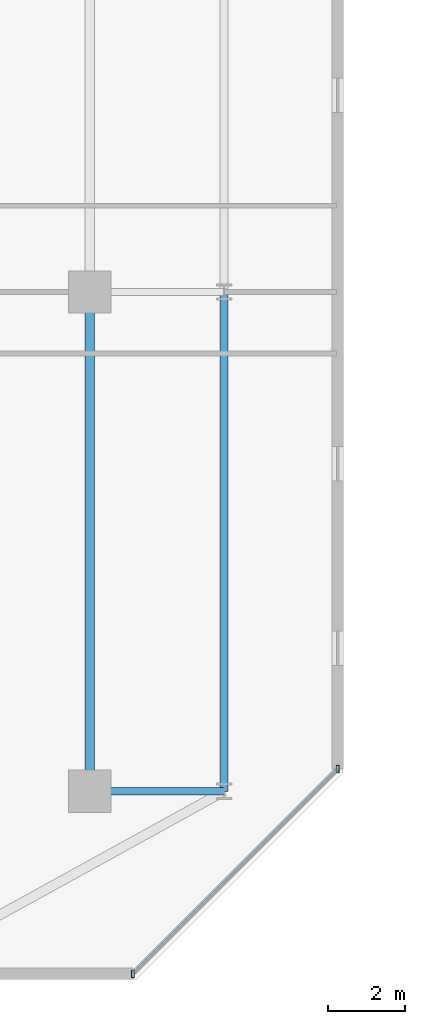
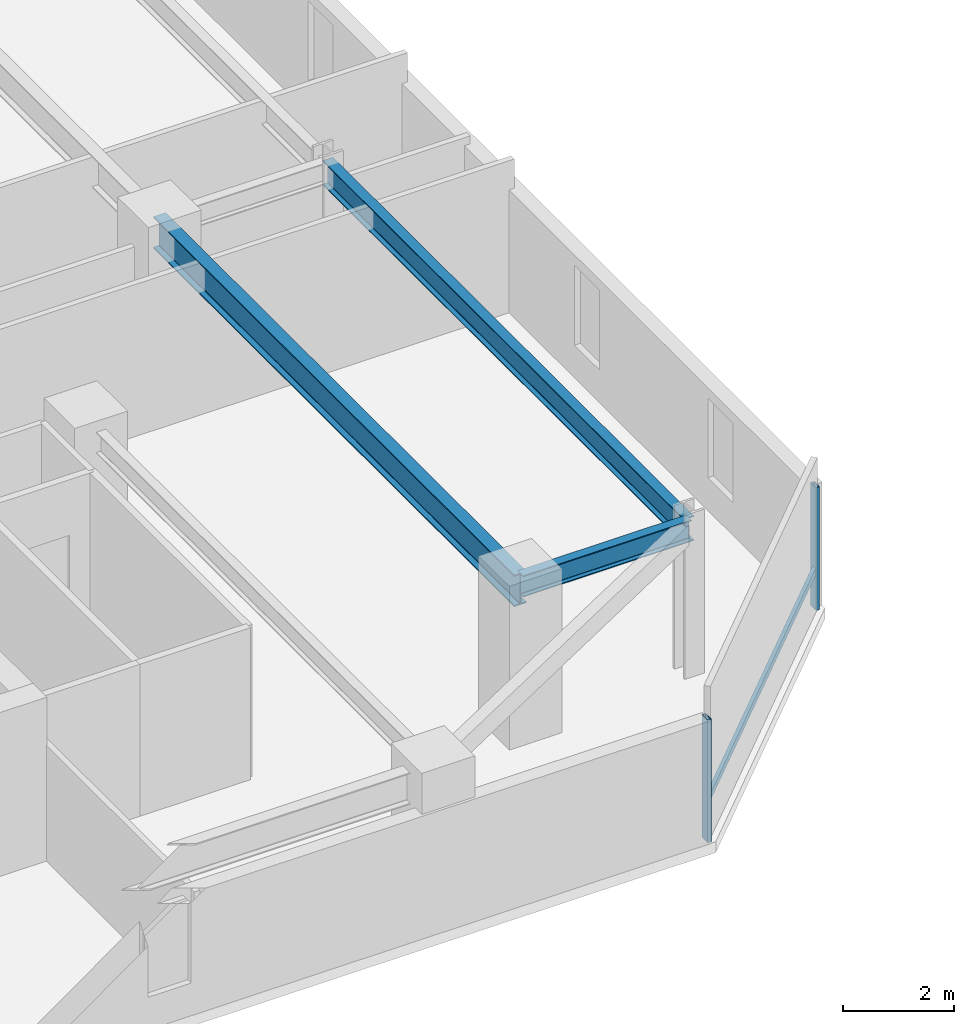
# One storey, part 5 of 33: 3 beams, 3 members, 1 element without a shape of its own.
"""IFC4 building model written with IfcOpenShell, lengths in metres."""

from ifc_helpers import new_model, si_unit, direction, frame, origin, origin_2d, place, context, subcontext, project, spatial, hollow_rectangle, i_section, extrude, material, material_profile, profile_set, type_object, element, aggregate, save


model = new_model("IFC4")

# Units and contexts
model_context = context("Model", 3, precision=1e-05, world=origin(), true_north=direction((0.0, 1.0)))
body_context = subcontext(model_context, "Body", "Model", "MODEL_VIEW")
ifc_project = project(units=[si_unit("LENGTHUNIT", "METRE"), si_unit("AREAUNIT", "SQUARE_METRE"), si_unit("VOLUMEUNIT", "CUBIC_METRE"), si_unit("PLANEANGLEUNIT", "RADIAN"), si_unit("MASSUNIT", "GRAM", prefix="KILO")], contexts=[model_context])

# Site, building, storey
site_placement = place(None, origin())
site = spatial("IfcSite", under=ifc_project, at=site_placement, CompositionType="ELEMENT")
building_placement = place(site_placement, origin())
building = spatial("IfcBuilding", under=site, at=building_placement, Name="Thornwick Lancets Civic Towers", CompositionType="ELEMENT")
storey_placement = place(building_placement, frame((0.0, 0.0, 185.699951171875)))
storey = spatial("IfcBuildingStorey", under=building, at=storey_placement, Name="L49", CompositionType="ELEMENT", Elevation=185.699951171875)

# Beams
ifc_material_1 = material(Name="Steel S355JR", Category="steel")
ifc_material_profile_1 = material_profile(ifc_material_1, i_section(OverallWidth=0.210693359375, OverallDepth=0.53955078125, WebThickness=0.01171875, FlangeThickness=0.018798828125, FilletRadius=0.0126953125, at=origin_2d()), Name="UKB 533x210x109")
ifc_profile_set_1 = profile_set([ifc_material_profile_1], Name="Steel S355JR")
beam_type_1 = type_object("IfcBeamType", Name="BM_EDGE_533_109", PredefinedType="SPANDREL", material=ifc_profile_set_1)
beam_1_placement = place(storey_placement, frame((46.300048828125, 14.0, 3.09033203125), z_axis=(0.0, 1.0, 0.0), x_axis=(-1.0, 0.0, 0.0)))
element("IfcBeam", 1, at=beam_1_placement, inside=storey, type_object=beam_type_1, Name="BM-EDGE-L49-A-S1-1", PredefinedType="SPANDREL", context=body_context, shape_type="SweptSolid", body=[
    extrude(i_section(OverallWidth=0.210693359375, OverallDepth=0.53955078125, WebThickness=0.01171875, FlangeThickness=0.018798828125, FilletRadius=0.0126953125, at=origin_2d()), origin(), (0.0, 0.0, 1.0), 13.0),
])
ifc_material_profile_2 = material_profile(ifc_material_1, i_section(OverallWidth=0.255859375, OverallDepth=0.69287109375, WebThickness=0.014404296875, FlangeThickness=0.023681640625, FilletRadius=0.01513671875, at=origin_2d()), Name="UKB 686x254x170")
ifc_profile_set_2 = profile_set([ifc_material_profile_2], Name="Steel S355JR")
beam_type_2 = type_object("IfcBeamType", Name="BM_GIRD_686_170", PredefinedType="BEAM", material=ifc_profile_set_2)
beam_2_placement = place(storey_placement, frame((42.800048828125, 14.0, 3.013427734375), z_axis=(0.0, 1.0, 0.0), x_axis=(-1.0, 0.0, 0.0)))
element("IfcBeam", 2, at=beam_2_placement, inside=storey, type_object=beam_type_2, Name="BM-SPINE-L49-A-3-4", PredefinedType="BEAM", context=body_context, shape_type="SweptSolid", body=[
    extrude(i_section(OverallWidth=0.255859375, OverallDepth=0.69287109375, WebThickness=0.014404296875, FlangeThickness=0.023681640625, FilletRadius=0.01513671875, at=origin_2d()), origin(), (0.0, 0.0, 1.0), 13.0),
])
ifc_material_profile_3 = material_profile(ifc_material_1, i_section(OverallWidth=0.19287109375, OverallDepth=0.46728515625, WebThickness=0.011474609375, FlangeThickness=0.01953125, FilletRadius=0.01025390625, at=origin_2d()), Name="UKB 457x191x98")
ifc_profile_set_3 = profile_set([ifc_material_profile_3], Name="Steel S355JR")
beam_type_3 = type_object("IfcBeamType", Name="BM_JOIST_457_98", PredefinedType="JOIST", material=ifc_profile_set_3)
beam_3_placement = place(storey_placement, frame((42.800048828125, 14.0, 3.12646484375), z_axis=(1.0, 0.0, 0.0), x_axis=(0.0, 1.0, 0.0)))
element("IfcBeam", 3, at=beam_3_placement, inside=storey, type_object=beam_type_3, Name="BM-RAD-L49-A04", PredefinedType="JOIST", context=body_context, shape_type="SweptSolid", body=[
    extrude(i_section(OverallWidth=0.19287109375, OverallDepth=0.46728515625, WebThickness=0.011474609375, FlangeThickness=0.01953125, FilletRadius=0.01025390625, at=origin_2d()), origin(), (0.0, 0.0, 1.0), 3.5),
])

# Curtain wall, members
ifc_material_2 = material(Name="Mid-zone chamfered-corner unitised glass curtain wall", Category="glass")
curtain_wall_type = type_object("IfcCurtainWallType", Name="CW_SYS_04", PredefinedType="NOTDEFINED", material=ifc_material_2)
curtain_wall_placement = place(storey_placement, origin())
curtain_wall = element("IfcCurtainWall", 4, at=curtain_wall_placement, inside=storey, type_object=curtain_wall_type, Name="L49 Curtain Wall CW-L49-A-E1", PredefinedType="NOTDEFINED")
ifc_material_3 = material(Name="Thermally broken bronze aluminium S355", Category="steel")
ifc_material_profile_4 = material_profile(ifc_material_3, hollow_rectangle(XDim=0.080078125, YDim=0.199951171875, WallThickness=0.006103515625, at=origin_2d()), Name="RHS 200x80x6")
ifc_profile_set_4 = profile_set([ifc_material_profile_4], Name="Thermally broken bronze aluminium S355")
member_type_1 = type_object("IfcMemberType", Name="CW_MUL_200", PredefinedType="MULLION", material=ifc_profile_set_4)
member_1_placement = place(storey_placement, frame((43.923583984375, 9.244384765625, 0.0), z_axis=(0.0, 0.0, 1.0), x_axis=(1.0, 0.0, 0.0)))
member_1 = element("IfcMember", 5, at=member_1_placement, type_object=member_type_1, Name="CW-L49-A-E1 Mullion 0", PredefinedType="MULLION", context=body_context, shape_type="SweptSolid", body=[
    extrude(hollow_rectangle(XDim=0.080078125, YDim=0.199951171875, WallThickness=0.006103515625, at=origin_2d()), origin(), (0.0, 0.0, 1.0), 2.699951171875),
])
member_2_placement = place(storey_placement, frame((49.255615234375, 14.576416015625, 0.0), z_axis=(0.0, 0.0, 1.0), x_axis=(1.0, 0.0, 0.0)))
member_2 = element("IfcMember", 6, at=member_2_placement, type_object=member_type_1, Name="CW-L49-A-E1 Mullion 1", PredefinedType="MULLION", context=body_context, shape_type="SweptSolid", body=[
    extrude(hollow_rectangle(XDim=0.080078125, YDim=0.199951171875, WallThickness=0.006103515625, at=origin_2d()), origin(), (0.0, 0.0, 1.0), 2.699951171875),
])
ifc_material_profile_5 = material_profile(ifc_material_3, hollow_rectangle(XDim=0.074951171875, YDim=0.14990234375, WallThickness=0.0048828125, at=origin_2d()), Name="RHS 150x75x5")
ifc_profile_set_5 = profile_set([ifc_material_profile_5], Name="Thermally broken bronze aluminium S355")
member_type_2 = type_object("IfcMemberType", Name="CW_TRN_150", PredefinedType="USERDEFINED", material=ifc_profile_set_5)
member_3_placement = place(storey_placement, frame((43.937744140625, 9.258544921875, 0.85009765625), z_axis=(0.707106781187, 0.707106781187, 0.0), x_axis=(-0.707106781187, 0.707106781187, 0.0)))
member_3 = element("IfcMember", 7, at=member_3_placement, type_object=member_type_2, Name="CW-L49-A-E1 Transom 0", ObjectType="TRANSOM", PredefinedType="USERDEFINED", context=body_context, shape_type="SweptSolid", body=[
    extrude(hollow_rectangle(XDim=0.074951171875, YDim=0.14990234375, WallThickness=0.0048828125, at=origin_2d()), origin(), (0.0, 0.0, 1.0), 7.50048828125),
])
aggregate(curtain_wall, [member_1, member_2, member_3])

save(model, "model.ifc")
